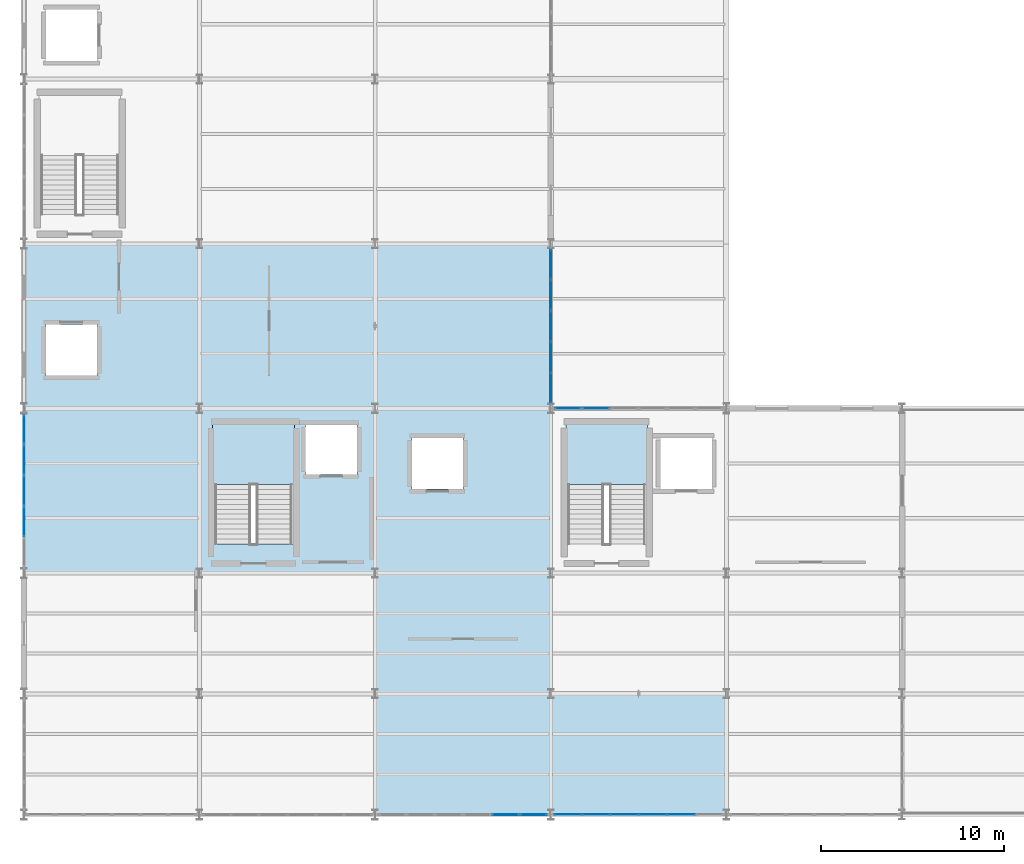
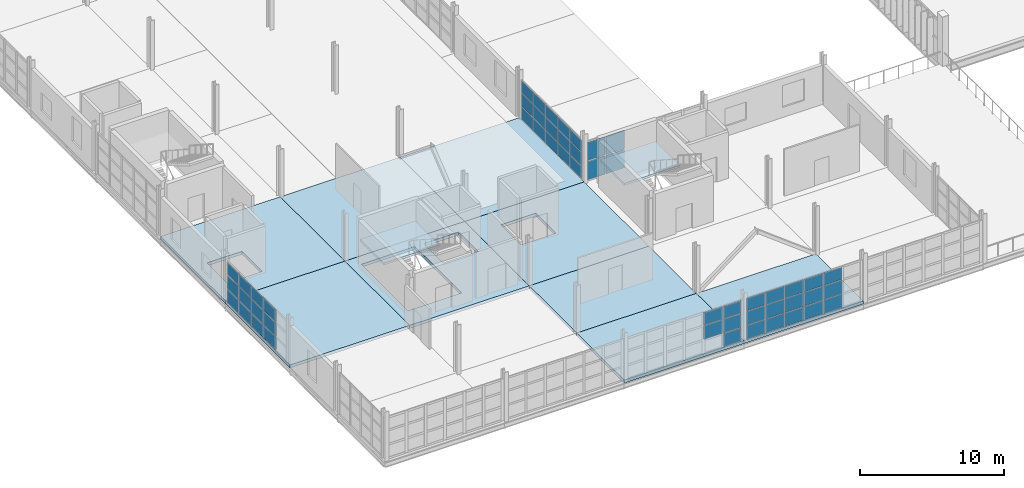
# One storey, part 49 of 82: 51 plates, 11 slabs, 7 elements without a shape of their own.
"""IFC4 building model written with IfcOpenShell, lengths in metres."""

from ifc_helpers import new_model, si_unit, direction, frame, origin, origin_2d, place, context, subcontext, project, spatial, polyline, rectangle, outline, extrude, material, layer, layer_set, type_object, element, aggregate, save


model = new_model("IFC4")

# Units and contexts
model_context = context("Model", 3, precision=1e-05, world=origin(), true_north=direction((0.0, 1.0)))
body_context = subcontext(model_context, "Body", "Model", "MODEL_VIEW")
ifc_project = project(units=[si_unit("LENGTHUNIT", "METRE"), si_unit("AREAUNIT", "SQUARE_METRE"), si_unit("VOLUMEUNIT", "CUBIC_METRE"), si_unit("PLANEANGLEUNIT", "RADIAN"), si_unit("MASSUNIT", "GRAM", prefix="KILO")], contexts=[model_context])

# Site, building, storey
site_placement = place(None, origin())
site = spatial("IfcSite", under=ifc_project, at=site_placement, CompositionType="ELEMENT")
building_placement = place(site_placement, origin())
building = spatial("IfcBuilding", under=site, at=building_placement, Name="Zarnetskaya Central Station", CompositionType="ELEMENT")
storey_placement = place(building_placement, frame((0.0, 0.0, 10.199951171875)))
storey = spatial("IfcBuildingStorey", under=building, at=storey_placement, Name="L02", CompositionType="ELEMENT", Elevation=10.199951171875)

# Curtain wall, plates
ifc_material_1 = material(Name="Low-E insulated glass", Category="glass")
ifc_layer_1 = layer(ifc_material_1, 0.159912109375, Name="Low-E insulated glass", Category="glass")
ifc_layer_set_1 = layer_set([ifc_layer_1], Name="Low-E insulated glass")
curtain_wall_type_1 = type_object("IfcCurtainWallType", Name="CW-SYS-06", PredefinedType="USERDEFINED", material=ifc_layer_set_1)
curtain_wall_1_placement = place(storey_placement, origin())
curtain_wall_1 = element("IfcCurtainWall", 1, at=curtain_wall_1_placement, inside=storey, type_object=curtain_wall_type_1, Name="Curtain wall CW-L02-016", ObjectType="CURTAIN WALL", PredefinedType="USERDEFINED")
ifc_layer_2 = layer(ifc_material_1, 0.031982421875, Name="Low-E insulated glass", Category="glass")
ifc_layer_set_2 = layer_set([ifc_layer_2], Name="Low-E insulated glass")
plate_type_1 = type_object("IfcPlateType", Name="CW-PAN-32", PredefinedType="CURTAIN_PANEL", material=ifc_layer_set_2)
plate_1_placement = place(storey_placement, frame((0.0, 16.010009765625, 0.080078125), z_axis=(0.0, 0.0, 1.0), x_axis=(0.0, 1.0, 0.0)))
plate_1 = element("IfcPlate", 2, at=plate_1_placement, type_object=plate_type_1, Name="CW-02 panel 2.1", PredefinedType="CURTAIN_PANEL", context=body_context, shape_type="SweptSolid", body=[
    extrude(rectangle(XDim=1.610107421875, YDim=0.031982421875, at=origin_2d()), origin(), (0.0, 0.0, 1.0), 1.0869140625),
])
plate_2_placement = place(storey_placement, frame((0.0, 16.010009765625, 1.2470703125), z_axis=(0.0, 0.0, 1.0), x_axis=(0.0, 1.0, 0.0)))
plate_2 = element("IfcPlate", 3, at=plate_2_placement, type_object=plate_type_1, Name="CW-02 panel 2.2", PredefinedType="CURTAIN_PANEL", context=body_context, shape_type="SweptSolid", body=[
    extrude(rectangle(XDim=1.610107421875, YDim=0.031982421875, at=origin_2d()), origin(), (0.0, 0.0, 1.0), 1.126953125),
])
plate_3_placement = place(storey_placement, frame((0.0, 16.010009765625, 2.4541015625), z_axis=(0.0, 0.0, 1.0), x_axis=(0.0, 1.0, 0.0)))
plate_3 = element("IfcPlate", 4, at=plate_3_placement, type_object=plate_type_1, Name="CW-02 panel 2.3", PredefinedType="CURTAIN_PANEL", context=body_context, shape_type="SweptSolid", body=[
    extrude(rectangle(XDim=1.610107421875, YDim=0.031982421875, at=origin_2d()), origin(), (0.0, 0.0, 1.0), 1.01611328125),
])
plate_4_placement = place(storey_placement, frame((0.0, 17.699951171875, 0.080078125), z_axis=(0.0, 0.0, 1.0), x_axis=(0.0, 1.0, 0.0)))
plate_4 = element("IfcPlate", 5, at=plate_4_placement, type_object=plate_type_1, Name="CW-02 panel 3.1", PredefinedType="CURTAIN_PANEL", context=body_context, shape_type="SweptSolid", body=[
    extrude(rectangle(XDim=1.610107421875, YDim=0.031982421875, at=origin_2d()), origin(), (0.0, 0.0, 1.0), 1.0869140625),
])
plate_5_placement = place(storey_placement, frame((0.0, 17.699951171875, 1.2470703125), z_axis=(0.0, 0.0, 1.0), x_axis=(0.0, 1.0, 0.0)))
plate_5 = element("IfcPlate", 6, at=plate_5_placement, type_object=plate_type_1, Name="CW-02 panel 3.2", PredefinedType="CURTAIN_PANEL", context=body_context, shape_type="SweptSolid", body=[
    extrude(rectangle(XDim=1.610107421875, YDim=0.031982421875, at=origin_2d()), origin(), (0.0, 0.0, 1.0), 1.126953125),
])
plate_6_placement = place(storey_placement, frame((0.0, 17.699951171875, 2.4541015625), z_axis=(0.0, 0.0, 1.0), x_axis=(0.0, 1.0, 0.0)))
plate_6 = element("IfcPlate", 7, at=plate_6_placement, type_object=plate_type_1, Name="CW-02 panel 3.3", PredefinedType="CURTAIN_PANEL", context=body_context, shape_type="SweptSolid", body=[
    extrude(rectangle(XDim=1.610107421875, YDim=0.031982421875, at=origin_2d()), origin(), (0.0, 0.0, 1.0), 1.01611328125),
])
plate_7_placement = place(storey_placement, frame((0.0, 19.389892578125, 0.080078125), z_axis=(0.0, 0.0, 1.0), x_axis=(0.0, 1.0, 0.0)))
plate_7 = element("IfcPlate", 8, at=plate_7_placement, type_object=plate_type_1, Name="CW-02 panel 4.1", PredefinedType="CURTAIN_PANEL", context=body_context, shape_type="SweptSolid", body=[
    extrude(rectangle(XDim=1.610107421875, YDim=0.031982421875, at=origin_2d()), origin(), (0.0, 0.0, 1.0), 1.0869140625),
])
plate_8_placement = place(storey_placement, frame((0.0, 19.389892578125, 1.2470703125), z_axis=(0.0, 0.0, 1.0), x_axis=(0.0, 1.0, 0.0)))
plate_8 = element("IfcPlate", 9, at=plate_8_placement, type_object=plate_type_1, Name="CW-02 panel 4.2", PredefinedType="CURTAIN_PANEL", context=body_context, shape_type="SweptSolid", body=[
    extrude(rectangle(XDim=1.610107421875, YDim=0.031982421875, at=origin_2d()), origin(), (0.0, 0.0, 1.0), 1.126953125),
])
plate_9_placement = place(storey_placement, frame((0.0, 19.389892578125, 2.4541015625), z_axis=(0.0, 0.0, 1.0), x_axis=(0.0, 1.0, 0.0)))
plate_9 = element("IfcPlate", 10, at=plate_9_placement, type_object=plate_type_1, Name="CW-02 panel 4.3", PredefinedType="CURTAIN_PANEL", context=body_context, shape_type="SweptSolid", body=[
    extrude(rectangle(XDim=1.610107421875, YDim=0.031982421875, at=origin_2d()), origin(), (0.0, 0.0, 1.0), 1.01611328125),
])
plate_10_placement = place(storey_placement, frame((0.0, 21.06005859375, 0.080078125), z_axis=(0.0, 0.0, 1.0), x_axis=(0.0, 1.0, 0.0)))
plate_10 = element("IfcPlate", 11, at=plate_10_placement, type_object=plate_type_1, Name="CW-02 panel 5.1", PredefinedType="CURTAIN_PANEL", context=body_context, shape_type="SweptSolid", body=[
    extrude(rectangle(XDim=1.570068359375, YDim=0.031982421875, at=origin_2d()), origin(), (0.0, 0.0, 1.0), 1.0869140625),
])
plate_11_placement = place(storey_placement, frame((0.0, 21.06005859375, 1.2470703125), z_axis=(0.0, 0.0, 1.0), x_axis=(0.0, 1.0, 0.0)))
plate_11 = element("IfcPlate", 12, at=plate_11_placement, type_object=plate_type_1, Name="CW-02 panel 5.2", PredefinedType="CURTAIN_PANEL", context=body_context, shape_type="SweptSolid", body=[
    extrude(rectangle(XDim=1.570068359375, YDim=0.031982421875, at=origin_2d()), origin(), (0.0, 0.0, 1.0), 1.126953125),
])
plate_12_placement = place(storey_placement, frame((0.0, 21.06005859375, 2.4541015625), z_axis=(0.0, 0.0, 1.0), x_axis=(0.0, 1.0, 0.0)))
plate_12 = element("IfcPlate", 13, at=plate_12_placement, type_object=plate_type_1, Name="CW-02 panel 5.3", PredefinedType="CURTAIN_PANEL", context=body_context, shape_type="SweptSolid", body=[
    extrude(rectangle(XDim=1.570068359375, YDim=0.031982421875, at=origin_2d()), origin(), (0.0, 0.0, 1.0), 1.01611328125),
])
aggregate(curtain_wall_1, [plate_1, plate_2, plate_3, plate_4, plate_5, plate_6, plate_7, plate_8, plate_9, plate_10, plate_11, plate_12])

ifc_layer_3 = layer(ifc_material_1, 0.176025390625, Name="Low-E insulated glass", Category="glass")
ifc_layer_set_3 = layer_set([ifc_layer_3], Name="Low-E insulated glass")
curtain_wall_type_2 = type_object("IfcCurtainWallType", Name="CW-SYS-05", PredefinedType="USERDEFINED", material=ifc_layer_set_3)
curtain_wall_2_placement = place(storey_placement, origin())
curtain_wall_2 = element("IfcCurtainWall", 14, at=curtain_wall_2_placement, inside=storey, type_object=curtain_wall_type_2, Name="Curtain wall CW-L02-027", ObjectType="CURTAIN WALL", PredefinedType="USERDEFINED")
ifc_layer_4 = layer(ifc_material_1, 0.035888671875, Name="Low-E insulated glass", Category="glass")
ifc_layer_set_4 = layer_set([ifc_layer_4], Name="Low-E insulated glass")
plate_type_2 = type_object("IfcPlateType", Name="CW-PAN-36", PredefinedType="CURTAIN_PANEL", material=ifc_layer_set_4)
plate_13_placement = place(storey_placement, frame((35.925048828125, 0.0, 0.070068359375), z_axis=(0.0, 0.0, 1.0), x_axis=(-1.0, 0.0, 0.0)))
plate_13 = element("IfcPlate", 15, at=plate_13_placement, type_object=plate_type_2, Name="CW-14 panel 2.1", PredefinedType="CURTAIN_PANEL", context=body_context, shape_type="SweptSolid", body=[
    extrude(rectangle(XDim=1.47998046875, YDim=0.035888671875, at=origin_2d()), origin(), (0.0, 0.0, 1.0), 1.10205078125),
])
plate_14_placement = place(storey_placement, frame((35.925048828125, 0.0, 1.2421875), z_axis=(0.0, 0.0, 1.0), x_axis=(-1.0, 0.0, 0.0)))
plate_14 = element("IfcPlate", 16, at=plate_14_placement, type_object=plate_type_2, Name="CW-14 panel 2.2", PredefinedType="CURTAIN_PANEL", context=body_context, shape_type="SweptSolid", body=[
    extrude(rectangle(XDim=1.47998046875, YDim=0.035888671875, at=origin_2d()), origin(), (0.0, 0.0, 1.0), 1.136962890625),
])
plate_15_placement = place(storey_placement, frame((35.925048828125, 0.0, 2.44921875), z_axis=(0.0, 0.0, 1.0), x_axis=(-1.0, 0.0, 0.0)))
plate_15 = element("IfcPlate", 17, at=plate_15_placement, type_object=plate_type_2, Name="CW-14 panel 2.3", PredefinedType="CURTAIN_PANEL", context=body_context, shape_type="SweptSolid", body=[
    extrude(rectangle(XDim=1.47998046875, YDim=0.035888671875, at=origin_2d()), origin(), (0.0, 0.0, 1.0), 1.031005859375),
])
plate_16_placement = place(storey_placement, frame((34.375, 0.0, 0.070068359375), z_axis=(0.0, 0.0, 1.0), x_axis=(-1.0, 0.0, 0.0)))
plate_16 = element("IfcPlate", 18, at=plate_16_placement, type_object=plate_type_2, Name="CW-14 panel 3.1", PredefinedType="CURTAIN_PANEL", context=body_context, shape_type="SweptSolid", body=[
    extrude(rectangle(XDim=1.47998046875, YDim=0.035888671875, at=origin_2d()), origin(), (0.0, 0.0, 1.0), 1.10205078125),
])
plate_17_placement = place(storey_placement, frame((34.375, 0.0, 1.2421875), z_axis=(0.0, 0.0, 1.0), x_axis=(-1.0, 0.0, 0.0)))
plate_17 = element("IfcPlate", 19, at=plate_17_placement, type_object=plate_type_2, Name="CW-14 panel 3.2", PredefinedType="CURTAIN_PANEL", context=body_context, shape_type="SweptSolid", body=[
    extrude(rectangle(XDim=1.47998046875, YDim=0.035888671875, at=origin_2d()), origin(), (0.0, 0.0, 1.0), 1.136962890625),
])
plate_18_placement = place(storey_placement, frame((34.375, 0.0, 2.44921875), z_axis=(0.0, 0.0, 1.0), x_axis=(-1.0, 0.0, 0.0)))
plate_18 = element("IfcPlate", 20, at=plate_18_placement, type_object=plate_type_2, Name="CW-14 panel 3.3", PredefinedType="CURTAIN_PANEL", context=body_context, shape_type="SweptSolid", body=[
    extrude(rectangle(XDim=1.47998046875, YDim=0.035888671875, at=origin_2d()), origin(), (0.0, 0.0, 1.0), 1.031005859375),
])
plate_19_placement = place(storey_placement, frame((32.824951171875, 0.0, 0.070068359375), z_axis=(0.0, 0.0, 1.0), x_axis=(-1.0, 0.0, 0.0)))
plate_19 = element("IfcPlate", 21, at=plate_19_placement, type_object=plate_type_2, Name="CW-14 panel 4.1", PredefinedType="CURTAIN_PANEL", context=body_context, shape_type="SweptSolid", body=[
    extrude(rectangle(XDim=1.47998046875, YDim=0.035888671875, at=origin_2d()), origin(), (0.0, 0.0, 1.0), 1.10205078125),
])
plate_20_placement = place(storey_placement, frame((32.824951171875, 0.0, 1.2421875), z_axis=(0.0, 0.0, 1.0), x_axis=(-1.0, 0.0, 0.0)))
plate_20 = element("IfcPlate", 22, at=plate_20_placement, type_object=plate_type_2, Name="CW-14 panel 4.2", PredefinedType="CURTAIN_PANEL", context=body_context, shape_type="SweptSolid", body=[
    extrude(rectangle(XDim=1.47998046875, YDim=0.035888671875, at=origin_2d()), origin(), (0.0, 0.0, 1.0), 1.136962890625),
])
plate_21_placement = place(storey_placement, frame((32.824951171875, 0.0, 2.44921875), z_axis=(0.0, 0.0, 1.0), x_axis=(-1.0, 0.0, 0.0)))
plate_21 = element("IfcPlate", 23, at=plate_21_placement, type_object=plate_type_2, Name="CW-14 panel 4.3", PredefinedType="CURTAIN_PANEL", context=body_context, shape_type="SweptSolid", body=[
    extrude(rectangle(XDim=1.47998046875, YDim=0.035888671875, at=origin_2d()), origin(), (0.0, 0.0, 1.0), 1.031005859375),
])
plate_22_placement = place(storey_placement, frame((31.27490234375, 0.0, 0.070068359375), z_axis=(0.0, 0.0, 1.0), x_axis=(-1.0, 0.0, 0.0)))
plate_22 = element("IfcPlate", 24, at=plate_22_placement, type_object=plate_type_2, Name="CW-14 panel 5.1", PredefinedType="CURTAIN_PANEL", context=body_context, shape_type="SweptSolid", body=[
    extrude(rectangle(XDim=1.47998046875, YDim=0.035888671875, at=origin_2d()), origin(), (0.0, 0.0, 1.0), 1.10205078125),
])
plate_23_placement = place(storey_placement, frame((31.27490234375, 0.0, 1.2421875), z_axis=(0.0, 0.0, 1.0), x_axis=(-1.0, 0.0, 0.0)))
plate_23 = element("IfcPlate", 25, at=plate_23_placement, type_object=plate_type_2, Name="CW-14 panel 5.2", PredefinedType="CURTAIN_PANEL", context=body_context, shape_type="SweptSolid", body=[
    extrude(rectangle(XDim=1.47998046875, YDim=0.035888671875, at=origin_2d()), origin(), (0.0, 0.0, 1.0), 1.136962890625),
])
plate_24_placement = place(storey_placement, frame((31.27490234375, 0.0, 2.44921875), z_axis=(0.0, 0.0, 1.0), x_axis=(-1.0, 0.0, 0.0)))
plate_24 = element("IfcPlate", 26, at=plate_24_placement, type_object=plate_type_2, Name="CW-14 panel 5.3", PredefinedType="CURTAIN_PANEL", context=body_context, shape_type="SweptSolid", body=[
    extrude(rectangle(XDim=1.47998046875, YDim=0.035888671875, at=origin_2d()), origin(), (0.0, 0.0, 1.0), 1.031005859375),
])
plate_25_placement = place(storey_placement, frame((29.742431640625, 0.0, 0.070068359375), z_axis=(0.0, 0.0, 1.0), x_axis=(-1.0, 0.0, 0.0)))
plate_25 = element("IfcPlate", 27, at=plate_25_placement, type_object=plate_type_2, Name="CW-14 panel 6.1", PredefinedType="CURTAIN_PANEL", context=body_context, shape_type="SweptSolid", body=[
    extrude(rectangle(XDim=1.445068359375, YDim=0.035888671875, at=origin_2d()), origin(), (0.0, 0.0, 1.0), 1.10205078125),
])
plate_26_placement = place(storey_placement, frame((29.742431640625, 0.0, 1.2421875), z_axis=(0.0, 0.0, 1.0), x_axis=(-1.0, 0.0, 0.0)))
plate_26 = element("IfcPlate", 28, at=plate_26_placement, type_object=plate_type_2, Name="CW-14 panel 6.2", PredefinedType="CURTAIN_PANEL", context=body_context, shape_type="SweptSolid", body=[
    extrude(rectangle(XDim=1.445068359375, YDim=0.035888671875, at=origin_2d()), origin(), (0.0, 0.0, 1.0), 1.136962890625),
])
plate_27_placement = place(storey_placement, frame((29.742431640625, 0.0, 2.44921875), z_axis=(0.0, 0.0, 1.0), x_axis=(-1.0, 0.0, 0.0)))
plate_27 = element("IfcPlate", 29, at=plate_27_placement, type_object=plate_type_2, Name="CW-14 panel 6.3", PredefinedType="CURTAIN_PANEL", context=body_context, shape_type="SweptSolid", body=[
    extrude(rectangle(XDim=1.445068359375, YDim=0.035888671875, at=origin_2d()), origin(), (0.0, 0.0, 1.0), 1.031005859375),
])
aggregate(curtain_wall_2, [plate_13, plate_14, plate_15, plate_16, plate_17, plate_18, plate_19, plate_20, plate_21, plate_22, plate_23, plate_24, plate_25, plate_26, plate_27])

ifc_layer_5 = layer(ifc_material_1, 0.16796875, Name="Low-E insulated glass", Category="glass")
ifc_layer_set_5 = layer_set([ifc_layer_5], Name="Low-E insulated glass")
curtain_wall_type_3 = type_object("IfcCurtainWallType", Name="CW-SYS-08", PredefinedType="USERDEFINED", material=ifc_layer_set_5)
curtain_wall_3_placement = place(storey_placement, origin())
curtain_wall_3 = element("IfcCurtainWall", 30, at=curtain_wall_3_placement, inside=storey, type_object=curtain_wall_type_3, Name="Curtain wall CW-L02-023", ObjectType="CURTAIN WALL", PredefinedType="USERDEFINED")
ifc_layer_6 = layer(ifc_material_1, 0.0400390625, Name="Low-E insulated glass", Category="glass")
ifc_layer_set_6 = layer_set([ifc_layer_6], Name="Low-E insulated glass")
plate_type_3 = type_object("IfcPlateType", Name="CW-PAN-40", PredefinedType="CURTAIN_PANEL", material=ifc_layer_set_6)
plate_28_placement = place(storey_placement, frame((28.800048828125, 30.08251953125, 0.06982421875), z_axis=(0.0, 0.0, 1.0), x_axis=(0.0, -1.0, 0.0)))
plate_28 = element("IfcPlate", 31, at=plate_28_placement, type_object=plate_type_3, Name="CW-16 panel 1.1", PredefinedType="CURTAIN_PANEL", context=body_context, shape_type="SweptSolid", body=[
    extrude(rectangle(XDim=1.594970703125, YDim=0.0400390625, at=origin_2d()), origin(), (0.0, 0.0, 1.0), 1.051025390625),
])
plate_29_placement = place(storey_placement, frame((28.800048828125, 30.08251953125, 1.191162109375), z_axis=(0.0, 0.0, 1.0), x_axis=(0.0, -1.0, 0.0)))
plate_29 = element("IfcPlate", 32, at=plate_29_placement, type_object=plate_type_3, Name="CW-16 panel 1.2", PredefinedType="CURTAIN_PANEL", context=body_context, shape_type="SweptSolid", body=[
    extrude(rectangle(XDim=1.594970703125, YDim=0.0400390625, at=origin_2d()), origin(), (0.0, 0.0, 1.0), 1.0859375),
])
plate_30_placement = place(storey_placement, frame((28.800048828125, 30.08251953125, 2.34716796875), z_axis=(0.0, 0.0, 1.0), x_axis=(0.0, -1.0, 0.0)))
plate_30 = element("IfcPlate", 33, at=plate_30_placement, type_object=plate_type_3, Name="CW-16 panel 1.3", PredefinedType="CURTAIN_PANEL", context=body_context, shape_type="SweptSolid", body=[
    extrude(rectangle(XDim=1.594970703125, YDim=0.0400390625, at=origin_2d()), origin(), (0.0, 0.0, 1.0), 0.98291015625),
])
plate_31_placement = place(storey_placement, frame((28.800048828125, 28.39990234375, 0.06982421875), z_axis=(0.0, 0.0, 1.0), x_axis=(0.0, -1.0, 0.0)))
plate_31 = element("IfcPlate", 34, at=plate_31_placement, type_object=plate_type_3, Name="CW-16 panel 2.1", PredefinedType="CURTAIN_PANEL", context=body_context, shape_type="SweptSolid", body=[
    extrude(rectangle(XDim=1.6298828125, YDim=0.0400390625, at=origin_2d()), origin(), (0.0, 0.0, 1.0), 1.051025390625),
])
plate_32_placement = place(storey_placement, frame((28.800048828125, 28.39990234375, 1.191162109375), z_axis=(0.0, 0.0, 1.0), x_axis=(0.0, -1.0, 0.0)))
plate_32 = element("IfcPlate", 35, at=plate_32_placement, type_object=plate_type_3, Name="CW-16 panel 2.2", PredefinedType="CURTAIN_PANEL", context=body_context, shape_type="SweptSolid", body=[
    extrude(rectangle(XDim=1.6298828125, YDim=0.0400390625, at=origin_2d()), origin(), (0.0, 0.0, 1.0), 1.0859375),
])
plate_33_placement = place(storey_placement, frame((28.800048828125, 28.39990234375, 2.34716796875), z_axis=(0.0, 0.0, 1.0), x_axis=(0.0, -1.0, 0.0)))
plate_33 = element("IfcPlate", 36, at=plate_33_placement, type_object=plate_type_3, Name="CW-16 panel 2.3", PredefinedType="CURTAIN_PANEL", context=body_context, shape_type="SweptSolid", body=[
    extrude(rectangle(XDim=1.6298828125, YDim=0.0400390625, at=origin_2d()), origin(), (0.0, 0.0, 1.0), 0.98291015625),
])
plate_34_placement = place(storey_placement, frame((28.800048828125, 26.699951171875, 0.06982421875), z_axis=(0.0, 0.0, 1.0), x_axis=(0.0, -1.0, 0.0)))
plate_34 = element("IfcPlate", 37, at=plate_34_placement, type_object=plate_type_3, Name="CW-16 panel 3.1", PredefinedType="CURTAIN_PANEL", context=body_context, shape_type="SweptSolid", body=[
    extrude(rectangle(XDim=1.6298828125, YDim=0.0400390625, at=origin_2d()), origin(), (0.0, 0.0, 1.0), 1.051025390625),
])
plate_35_placement = place(storey_placement, frame((28.800048828125, 26.699951171875, 1.191162109375), z_axis=(0.0, 0.0, 1.0), x_axis=(0.0, -1.0, 0.0)))
plate_35 = element("IfcPlate", 38, at=plate_35_placement, type_object=plate_type_3, Name="CW-16 panel 3.2", PredefinedType="CURTAIN_PANEL", context=body_context, shape_type="SweptSolid", body=[
    extrude(rectangle(XDim=1.6298828125, YDim=0.0400390625, at=origin_2d()), origin(), (0.0, 0.0, 1.0), 1.0859375),
])
plate_36_placement = place(storey_placement, frame((28.800048828125, 26.699951171875, 2.34716796875), z_axis=(0.0, 0.0, 1.0), x_axis=(0.0, -1.0, 0.0)))
plate_36 = element("IfcPlate", 39, at=plate_36_placement, type_object=plate_type_3, Name="CW-16 panel 3.3", PredefinedType="CURTAIN_PANEL", context=body_context, shape_type="SweptSolid", body=[
    extrude(rectangle(XDim=1.6298828125, YDim=0.0400390625, at=origin_2d()), origin(), (0.0, 0.0, 1.0), 0.98291015625),
])
plate_37_placement = place(storey_placement, frame((28.800048828125, 25.0, 0.06982421875), z_axis=(0.0, 0.0, 1.0), x_axis=(0.0, -1.0, 0.0)))
plate_37 = element("IfcPlate", 40, at=plate_37_placement, type_object=plate_type_3, Name="CW-16 panel 4.1", PredefinedType="CURTAIN_PANEL", context=body_context, shape_type="SweptSolid", body=[
    extrude(rectangle(XDim=1.6298828125, YDim=0.0400390625, at=origin_2d()), origin(), (0.0, 0.0, 1.0), 1.051025390625),
])
plate_38_placement = place(storey_placement, frame((28.800048828125, 25.0, 1.191162109375), z_axis=(0.0, 0.0, 1.0), x_axis=(0.0, -1.0, 0.0)))
plate_38 = element("IfcPlate", 41, at=plate_38_placement, type_object=plate_type_3, Name="CW-16 panel 4.2", PredefinedType="CURTAIN_PANEL", context=body_context, shape_type="SweptSolid", body=[
    extrude(rectangle(XDim=1.6298828125, YDim=0.0400390625, at=origin_2d()), origin(), (0.0, 0.0, 1.0), 1.0859375),
])
plate_39_placement = place(storey_placement, frame((28.800048828125, 25.0, 2.34716796875), z_axis=(0.0, 0.0, 1.0), x_axis=(0.0, -1.0, 0.0)))
plate_39 = element("IfcPlate", 42, at=plate_39_placement, type_object=plate_type_3, Name="CW-16 panel 4.3", PredefinedType="CURTAIN_PANEL", context=body_context, shape_type="SweptSolid", body=[
    extrude(rectangle(XDim=1.6298828125, YDim=0.0400390625, at=origin_2d()), origin(), (0.0, 0.0, 1.0), 0.98291015625),
])
plate_40_placement = place(storey_placement, frame((28.800048828125, 23.3173828125, 0.06982421875), z_axis=(0.0, 0.0, 1.0), x_axis=(0.0, -1.0, 0.0)))
plate_40 = element("IfcPlate", 43, at=plate_40_placement, type_object=plate_type_3, Name="CW-16 panel 5.1", PredefinedType="CURTAIN_PANEL", context=body_context, shape_type="SweptSolid", body=[
    extrude(rectangle(XDim=1.594970703125, YDim=0.0400390625, at=origin_2d()), origin(), (0.0, 0.0, 1.0), 1.051025390625),
])
plate_41_placement = place(storey_placement, frame((28.800048828125, 23.3173828125, 1.191162109375), z_axis=(0.0, 0.0, 1.0), x_axis=(0.0, -1.0, 0.0)))
plate_41 = element("IfcPlate", 44, at=plate_41_placement, type_object=plate_type_3, Name="CW-16 panel 5.2", PredefinedType="CURTAIN_PANEL", context=body_context, shape_type="SweptSolid", body=[
    extrude(rectangle(XDim=1.594970703125, YDim=0.0400390625, at=origin_2d()), origin(), (0.0, 0.0, 1.0), 1.0859375),
])
plate_42_placement = place(storey_placement, frame((28.800048828125, 23.3173828125, 2.34716796875), z_axis=(0.0, 0.0, 1.0), x_axis=(0.0, -1.0, 0.0)))
plate_42 = element("IfcPlate", 45, at=plate_42_placement, type_object=plate_type_3, Name="CW-16 panel 5.3", PredefinedType="CURTAIN_PANEL", context=body_context, shape_type="SweptSolid", body=[
    extrude(rectangle(XDim=1.594970703125, YDim=0.0400390625, at=origin_2d()), origin(), (0.0, 0.0, 1.0), 0.98291015625),
])
aggregate(curtain_wall_3, [plate_28, plate_29, plate_30, plate_31, plate_32, plate_33, plate_34, plate_35, plate_36, plate_37, plate_38, plate_39, plate_40, plate_41, plate_42])

curtain_wall_4_placement = place(storey_placement, origin())
curtain_wall_4 = element("IfcCurtainWall", 46, at=curtain_wall_4_placement, inside=storey, type_object=curtain_wall_type_1, Name="Curtain wall CW-L02-028", ObjectType="CURTAIN WALL", PredefinedType="USERDEFINED")
plate_43_placement = place(storey_placement, frame((27.85498046875, 0.0, 0.080078125), z_axis=(0.0, 0.0, 1.0), x_axis=(-1.0, 0.0, 0.0)))
plate_43 = element("IfcPlate", 47, at=plate_43_placement, type_object=plate_type_3, Name="CW-02 panel 1.1", PredefinedType="CURTAIN_PANEL", context=body_context, shape_type="SweptSolid", body=[
    extrude(rectangle(XDim=1.429931640625, YDim=0.0400390625, at=origin_2d()), origin(), (0.0, 0.0, 1.0), 1.0869140625),
])
plate_44_placement = place(storey_placement, frame((27.85498046875, 0.0, 1.2470703125), z_axis=(0.0, 0.0, 1.0), x_axis=(-1.0, 0.0, 0.0)))
plate_44 = element("IfcPlate", 48, at=plate_44_placement, type_object=plate_type_3, Name="CW-02 panel 1.2", PredefinedType="CURTAIN_PANEL", context=body_context, shape_type="SweptSolid", body=[
    extrude(rectangle(XDim=1.429931640625, YDim=0.0400390625, at=origin_2d()), origin(), (0.0, 0.0, 1.0), 1.126953125),
])
plate_45_placement = place(storey_placement, frame((27.85498046875, 0.0, 2.4541015625), z_axis=(0.0, 0.0, 1.0), x_axis=(-1.0, 0.0, 0.0)))
plate_45 = element("IfcPlate", 49, at=plate_45_placement, type_object=plate_type_3, Name="CW-02 panel 1.3", PredefinedType="CURTAIN_PANEL", context=body_context, shape_type="SweptSolid", body=[
    extrude(rectangle(XDim=1.429931640625, YDim=0.0400390625, at=origin_2d()), origin(), (0.0, 0.0, 1.0), 1.01611328125),
])
plate_46_placement = place(storey_placement, frame((26.324951171875, 0.0, 1.2470703125), z_axis=(0.0, 0.0, 1.0), x_axis=(-1.0, 0.0, 0.0)))
plate_46 = element("IfcPlate", 50, at=plate_46_placement, type_object=plate_type_3, Name="CW-02 panel 2.2", PredefinedType="CURTAIN_PANEL", context=body_context, shape_type="SweptSolid", body=[
    extrude(rectangle(XDim=1.469970703125, YDim=0.0400390625, at=origin_2d()), origin(), (0.0, 0.0, 1.0), 1.126953125),
])
plate_47_placement = place(storey_placement, frame((26.324951171875, 0.0, 2.4541015625), z_axis=(0.0, 0.0, 1.0), x_axis=(-1.0, 0.0, 0.0)))
plate_47 = element("IfcPlate", 51, at=plate_47_placement, type_object=plate_type_3, Name="CW-02 panel 2.3", PredefinedType="CURTAIN_PANEL", context=body_context, shape_type="SweptSolid", body=[
    extrude(rectangle(XDim=1.469970703125, YDim=0.0400390625, at=origin_2d()), origin(), (0.0, 0.0, 1.0), 1.01611328125),
])
aggregate(curtain_wall_4, [plate_43, plate_44, plate_45, plate_46, plate_47])

ifc_layer_7 = layer(ifc_material_1, 0.172119140625, Name="Low-E insulated glass", Category="glass")
ifc_layer_set_7 = layer_set([ifc_layer_7], Name="Low-E insulated glass")
curtain_wall_type_4 = type_object("IfcCurtainWallType", Name="CW-SYS-04", PredefinedType="USERDEFINED", material=ifc_layer_set_7)
curtain_wall_5_placement = place(storey_placement, origin())
curtain_wall_5 = element("IfcCurtainWall", 52, at=curtain_wall_5_placement, inside=storey, type_object=curtain_wall_type_4, Name="Curtain wall CW-L02-024", ObjectType="CURTAIN WALL", PredefinedType="USERDEFINED")
ifc_layer_8 = layer(ifc_material_1, 0.0439453125, Name="Low-E insulated glass", Category="glass")
ifc_layer_set_8 = layer_set([ifc_layer_8], Name="Low-E insulated glass")
plate_type_4 = type_object("IfcPlateType", Name="CW-PAN-44", PredefinedType="CURTAIN_PANEL", material=ifc_layer_set_8)
plate_48_placement = place(storey_placement, frame((29.7451171875, 22.199951171875, 0.080078125), z_axis=(0.0, 0.0, 1.0), x_axis=(1.0, 0.0, 0.0)))
plate_48 = element("IfcPlate", 53, at=plate_48_placement, type_object=plate_type_4, Name="CW-15 panel 1.1", PredefinedType="CURTAIN_PANEL", context=body_context, shape_type="SweptSolid", body=[
    extrude(rectangle(XDim=1.429931640625, YDim=0.0439453125, at=origin_2d()), origin(), (0.0, 0.0, 1.0), 1.554931640625),
])
plate_49_placement = place(storey_placement, frame((29.7451171875, 22.199951171875, 1.71484375), z_axis=(0.0, 0.0, 1.0), x_axis=(1.0, 0.0, 0.0)))
plate_49 = element("IfcPlate", 54, at=plate_49_placement, type_object=plate_type_4, Name="CW-15 panel 1.2", PredefinedType="CURTAIN_PANEL", context=body_context, shape_type="SweptSolid", body=[
    extrude(rectangle(XDim=1.429931640625, YDim=0.0439453125, at=origin_2d()), origin(), (0.0, 0.0, 1.0), 1.554931640625),
])
plate_50_placement = place(storey_placement, frame((31.27490234375, 22.199951171875, 0.080078125), z_axis=(0.0, 0.0, 1.0), x_axis=(1.0, 0.0, 0.0)))
plate_50 = element("IfcPlate", 55, at=plate_50_placement, type_object=plate_type_4, Name="CW-15 panel 2.1", PredefinedType="CURTAIN_PANEL", context=body_context, shape_type="SweptSolid", body=[
    extrude(rectangle(XDim=1.469970703125, YDim=0.0439453125, at=origin_2d()), origin(), (0.0, 0.0, 1.0), 1.554931640625),
])
plate_51_placement = place(storey_placement, frame((31.27490234375, 22.199951171875, 1.71484375), z_axis=(0.0, 0.0, 1.0), x_axis=(1.0, 0.0, 0.0)))
plate_51 = element("IfcPlate", 56, at=plate_51_placement, type_object=plate_type_4, Name="CW-15 panel 2.2", PredefinedType="CURTAIN_PANEL", context=body_context, shape_type="SweptSolid", body=[
    extrude(rectangle(XDim=1.469970703125, YDim=0.0439453125, at=origin_2d()), origin(), (0.0, 0.0, 1.0), 1.554931640625),
])
aggregate(curtain_wall_5, [plate_48, plate_49, plate_50, plate_51])

# Slabs
ifc_material_2 = material(Name="Concrete C30/37", Category="concrete")
ifc_layer_9 = layer(ifc_material_2, 0.260009765625, Name="Concrete C30/37", Category="concrete")
ifc_layer_set_9 = layer_set([ifc_layer_9], Name="Concrete C30/37")
slab_type_1 = type_object("IfcSlabType", Name="SLAB-L02-260", PredefinedType="FLOOR", material=ifc_layer_set_9)
slab_1_placement = place(storey_placement, frame((0.0, 0.0, -0.260009765625)))
element("IfcSlab", 57, at=slab_1_placement, inside=storey, type_object=slab_type_1, Name="L02 slab A-B/3-4", PredefinedType="FLOOR", context=body_context, shape_type="SweptSolid", body=[
    extrude(outline(polyline([(0.0, 13.199951171875), (9.60009765625, 13.199951171875), (9.60009765625, 22.199951171875), (0.0, 22.199951171875), (0.0, 13.199951171875)])), origin(), (0.0, 0.0, 1.0), 0.260009765625),
])
slab_2_placement = place(storey_placement, frame((0.0, 0.0, -0.260009765625)))
element("IfcSlab", 58, at=slab_2_placement, inside=storey, type_object=slab_type_1, Name="L02 slab A-B/4-5", PredefinedType="FLOOR", context=body_context, shape_type="SweptSolid", body=[
    extrude(outline(polyline([(0.0, 22.199951171875), (9.60009765625, 22.199951171875), (9.60009765625, 31.199951171875), (0.0, 31.199951171875), (0.0, 22.199951171875)]), holes=[polyline([(1.199951171875, 24.0), (4.0, 24.0), (4.0, 26.800048828125), (1.199951171875, 26.800048828125), (1.199951171875, 24.0)])]), origin(), (0.0, 0.0, 1.0), 0.260009765625),
])
slab_3_placement = place(storey_placement, frame((0.0, 0.0, -0.260009765625)))
element("IfcSlab", 59, at=slab_3_placement, inside=storey, type_object=slab_type_1, Name="L02 slab B-C/3-4", PredefinedType="FLOOR", context=body_context, shape_type="SweptSolid", body=[
    extrude(outline(polyline([(9.60009765625, 13.199951171875), (19.199951171875, 13.199951171875), (19.199951171875, 22.199951171875), (9.60009765625, 22.199951171875), (9.60009765625, 13.199951171875)]), holes=[polyline([(10.39990234375, 14.804931640625), (14.699951171875, 14.804931640625), (14.699951171875, 21.300048828125), (10.39990234375, 21.300048828125), (10.39990234375, 14.804931640625)]), polyline([(15.39990234375, 18.60009765625), (18.199951171875, 18.60009765625), (18.199951171875, 21.300048828125), (15.39990234375, 21.300048828125), (15.39990234375, 18.60009765625)])]), origin(), (0.0, 0.0, 1.0), 0.260009765625),
])
slab_4_placement = place(storey_placement, frame((0.0, 0.0, -0.260009765625)))
element("IfcSlab", 60, at=slab_4_placement, inside=storey, type_object=slab_type_1, Name="L02 slab B-C/4-5", PredefinedType="FLOOR", context=body_context, shape_type="SweptSolid", body=[
    extrude(outline(polyline([(9.60009765625, 22.199951171875), (19.199951171875, 22.199951171875), (19.199951171875, 31.199951171875), (9.60009765625, 31.199951171875), (9.60009765625, 22.199951171875)])), origin(), (0.0, 0.0, 1.0), 0.260009765625),
])
slab_5_placement = place(storey_placement, frame((0.0, 0.0, -0.260009765625)))
element("IfcSlab", 61, at=slab_5_placement, inside=storey, type_object=slab_type_1, Name="L02 slab C-D/1-2", PredefinedType="FLOOR", context=body_context, shape_type="SweptSolid", body=[
    extrude(outline(polyline([(19.199951171875, 0.0), (28.800048828125, 0.0), (28.800048828125, 6.60009765625), (19.199951171875, 6.60009765625), (19.199951171875, 0.0)])), origin(), (0.0, 0.0, 1.0), 0.260009765625),
])
slab_6_placement = place(storey_placement, frame((0.0, 0.0, -0.260009765625)))
element("IfcSlab", 62, at=slab_6_placement, inside=storey, type_object=slab_type_1, Name="L02 slab C-D/2-3", PredefinedType="FLOOR", context=body_context, shape_type="SweptSolid", body=[
    extrude(outline(polyline([(19.199951171875, 6.60009765625), (28.800048828125, 6.60009765625), (28.800048828125, 13.199951171875), (19.199951171875, 13.199951171875), (19.199951171875, 6.60009765625)])), origin(), (0.0, 0.0, 1.0), 0.260009765625),
])
slab_7_placement = place(storey_placement, frame((0.0, 0.0, -0.260009765625)))
element("IfcSlab", 63, at=slab_7_placement, inside=storey, type_object=slab_type_1, Name="L02 slab C-D/3-4", PredefinedType="FLOOR", context=body_context, shape_type="SweptSolid", body=[
    extrude(outline(polyline([(19.199951171875, 13.199951171875), (28.800048828125, 13.199951171875), (28.800048828125, 22.199951171875), (19.199951171875, 22.199951171875), (19.199951171875, 13.199951171875)]), holes=[polyline([(21.199951171875, 17.800048828125), (24.0, 17.800048828125), (24.0, 20.60009765625), (21.199951171875, 20.60009765625), (21.199951171875, 17.800048828125)])]), origin(), (0.0, 0.0, 1.0), 0.260009765625),
])
slab_8_placement = place(storey_placement, frame((0.0, 0.0, -0.260009765625)))
element("IfcSlab", 64, at=slab_8_placement, inside=storey, type_object=slab_type_1, Name="L02 slab C-D/4-5", PredefinedType="FLOOR", context=body_context, shape_type="SweptSolid", body=[
    extrude(outline(polyline([(19.199951171875, 22.199951171875), (28.800048828125, 22.199951171875), (28.800048828125, 31.199951171875), (19.199951171875, 31.199951171875), (19.199951171875, 22.199951171875)])), origin(), (0.0, 0.0, 1.0), 0.260009765625),
])
slab_9_placement = place(storey_placement, frame((0.0, 0.0, -0.260009765625)))
element("IfcSlab", 65, at=slab_9_placement, inside=storey, type_object=slab_type_1, Name="L02 slab D-E/1-2", PredefinedType="FLOOR", context=body_context, shape_type="SweptSolid", body=[
    extrude(outline(polyline([(28.800048828125, 0.0), (38.39990234375, 0.0), (38.39990234375, 6.60009765625), (28.800048828125, 6.60009765625), (28.800048828125, 0.0)])), origin(), (0.0, 0.0, 1.0), 0.260009765625),
])

# Stair, slab
stair_type_1 = type_object("IfcStairType", Name="STAIR-ASSY-01", PredefinedType="HALF_TURN_STAIR", material=ifc_material_2)
stair_1_placement = place(storey_placement, origin())
stair_1 = element("IfcStair", 66, at=stair_1_placement, inside=storey, type_object=stair_type_1, Name="Exit Stair ST-C1 L02", PredefinedType="HALF_TURN_STAIR")
ifc_layer_10 = layer(ifc_material_2, 0.18505859375, Name="Concrete C30/37", Category="concrete")
ifc_layer_set_10 = layer_set([ifc_layer_10], Name="Concrete C30/37")
slab_type_2 = type_object("IfcSlabType", Name="SLAB-STAIR-LND", PredefinedType="LANDING", material=ifc_layer_set_10)
slab_10_placement = place(storey_placement, frame((0.0, 0.0, 1.9150390625)))
slab_10 = element("IfcSlab", 67, at=slab_10_placement, type_object=slab_type_2, Name="ST-03 landing 1", PredefinedType="LANDING", context=body_context, shape_type="SweptSolid", body=[
    extrude(outline(polyline([(10.320068359375, 18.034912109375), (14.780029296875, 18.034912109375), (14.780029296875, 21.3798828125), (10.320068359375, 21.3798828125), (10.320068359375, 18.034912109375)])), origin(), (0.0, 0.0, 1.0), 0.18505859375),
])
aggregate(stair_1, [slab_10])

stair_type_2 = type_object("IfcStairType", Name="STAIR-ASSY-03", PredefinedType="HALF_TURN_STAIR", material=ifc_material_2)
stair_2_placement = place(storey_placement, origin())
stair_2 = element("IfcStair", 68, at=stair_2_placement, inside=storey, type_object=stair_type_2, Name="Exit Stair ST-C3 L02", PredefinedType="HALF_TURN_STAIR")
slab_11_placement = place(storey_placement, frame((0.0, 0.0, 1.9150390625)))
slab_11 = element("IfcSlab", 69, at=slab_11_placement, type_object=slab_type_2, Name="ST-04 landing 1", PredefinedType="LANDING", context=body_context, shape_type="SweptSolid", body=[
    extrude(outline(polyline([(29.6201171875, 18.034912109375), (34.080078125, 18.034912109375), (34.080078125, 21.3798828125), (29.6201171875, 21.3798828125), (29.6201171875, 18.034912109375)])), origin(), (0.0, 0.0, 1.0), 0.18505859375),
])
aggregate(stair_2, [slab_11])

save(model, "model.ifc")
